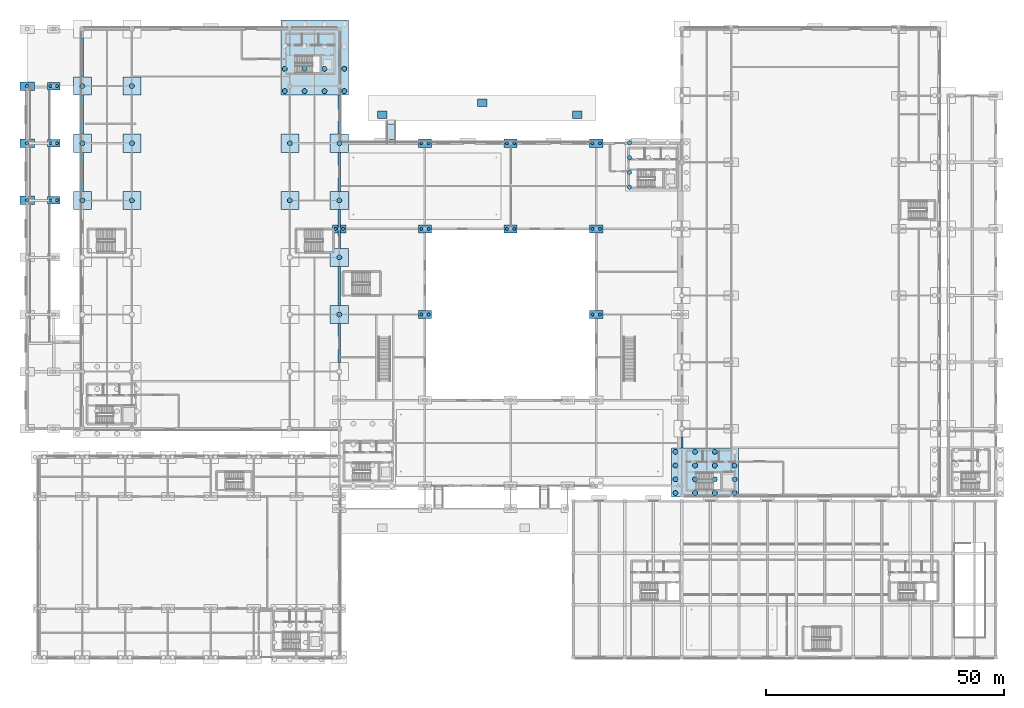
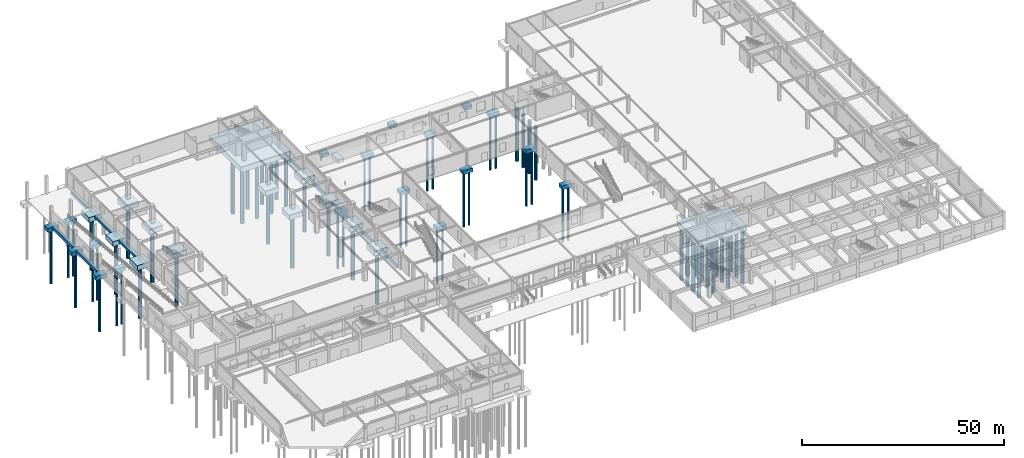
# One storey, part 3 of 53: 66 piles, 44 footings.
"""IFC4 building model written with IfcOpenShell, lengths in metres."""

from ifc_helpers import new_model, si_unit, derived_unit, direction, frame, origin, origin_2d, place, context, subcontext, project, spatial, polyline, rectangle, circle, outline, extrude, material, layer, layer_set, material_profile, profile_set, type_object, element, save


model = new_model("IFC4")

# Units and contexts
model_context = context("Model", 3, precision=1e-05, world=origin(), true_north=direction((0.0, 1.0)))
body_context = subcontext(model_context, "Body", "Model", "MODEL_VIEW")
ifc_project = project(units=[si_unit("LENGTHUNIT", "METRE"), si_unit("AREAUNIT", "SQUARE_METRE"), si_unit("VOLUMEUNIT", "CUBIC_METRE"), si_unit("PLANEANGLEUNIT", "RADIAN"), si_unit("MASSUNIT", "GRAM", prefix="KILO"), derived_unit("THERMALTRANSMITTANCEUNIT", [(si_unit("POWERUNIT", "WATT"), 1), (si_unit("LENGTHUNIT", "METRE"), -2), (si_unit("THERMODYNAMICTEMPERATUREUNIT", "KELVIN"), -1)])], contexts=[model_context])

# Site, building, storey
site_placement = place(None, origin())
site = spatial("IfcSite", under=ifc_project, at=site_placement, CompositionType="ELEMENT")
building_placement = place(site_placement, origin())
building = spatial("IfcBuilding", under=site, at=building_placement, Name="Almenara Railside Exhibition Hall", CompositionType="ELEMENT")
storey_placement = place(building_placement, origin())
storey = spatial("IfcBuildingStorey", under=building, at=storey_placement, Name="L00", CompositionType="ELEMENT", Elevation=0.0)

# Footings
ifc_material_1 = material(Name="Concrete C40/50", Category="concrete")
ifc_layer_1 = layer(ifc_material_1, 1.14990234375, Name="Concrete C40/50")
ifc_layer_set_1 = layer_set([ifc_layer_1], Name="Concrete C40/50")
footing_type_1 = type_object("IfcFootingType", Name="Arcade Two-Pile Cap 2800x1700x1150 C40/50", PredefinedType="PILE_CAP", material=ifc_layer_set_1)
footing_1_placement = place(storey_placement, frame((0.0, 0.0, -1.590087890625)))
element("IfcFooting", 1, at=footing_1_placement, inside=storey, type_object=footing_type_1, Name="Pile cap PC-2A-091", PredefinedType="PILE_CAP", context=body_context, shape_type="SweptSolid", body=[
    extrude(outline(polyline([(64.60009765625, 89.14990234375), (67.39990234375, 89.14990234375), (67.39990234375, 90.85009765625), (64.60009765625, 90.85009765625), (64.60009765625, 89.14990234375)])), origin(), (0.0, 0.0, 1.0), 1.150146484375),
])
footing_2_placement = place(storey_placement, frame((0.0, 0.0, -1.590087890625)))
element("IfcFooting", 2, at=footing_2_placement, inside=storey, type_object=footing_type_1, Name="Pile cap PC-2A-094", PredefinedType="PILE_CAP", context=body_context, shape_type="SweptSolid", body=[
    extrude(outline(polyline([(82.60009765625, 71.14990234375), (85.39990234375, 71.14990234375), (85.39990234375, 72.85009765625), (82.60009765625, 72.85009765625), (82.60009765625, 71.14990234375)])), origin(), (0.0, 0.0, 1.0), 1.150146484375),
])
footing_3_placement = place(storey_placement, frame((0.0, 0.0, -1.590087890625)))
element("IfcFooting", 3, at=footing_3_placement, inside=storey, type_object=footing_type_1, Name="Pile cap PC-2A-095", PredefinedType="PILE_CAP", context=body_context, shape_type="SweptSolid", body=[
    extrude(outline(polyline([(82.60009765625, 89.14990234375), (85.39990234375, 89.14990234375), (85.39990234375, 90.85009765625), (82.60009765625, 90.85009765625), (82.60009765625, 89.14990234375)])), origin(), (0.0, 0.0, 1.0), 1.150146484375),
])
footing_4_placement = place(storey_placement, frame((0.0, 0.0, -1.590087890625)))
element("IfcFooting", 4, at=footing_4_placement, inside=storey, type_object=footing_type_1, Name="Pile cap PC-2A-096", PredefinedType="PILE_CAP", context=body_context, shape_type="SweptSolid", body=[
    extrude(outline(polyline([(82.60009765625, 107.14990234375), (85.39990234375, 107.14990234375), (85.39990234375, 108.85009765625), (82.60009765625, 108.85009765625), (82.60009765625, 107.14990234375)])), origin(), (0.0, 0.0, 1.0), 1.150146484375),
])
footing_5_placement = place(storey_placement, frame((0.0, 0.0, -1.590087890625)))
element("IfcFooting", 5, at=footing_5_placement, inside=storey, type_object=footing_type_1, Name="Pile cap PC-2A-099", PredefinedType="PILE_CAP", context=body_context, shape_type="SweptSolid", body=[
    extrude(outline(polyline([(100.60009765625, 89.14990234375), (103.39990234375, 89.14990234375), (103.39990234375, 90.85009765625), (100.60009765625, 90.85009765625), (100.60009765625, 89.14990234375)])), origin(), (0.0, 0.0, 1.0), 1.150146484375),
])
footing_6_placement = place(storey_placement, frame((0.0, 0.0, -1.590087890625)))
element("IfcFooting", 6, at=footing_6_placement, inside=storey, type_object=footing_type_1, Name="Pile cap PC-2A-100", PredefinedType="PILE_CAP", context=body_context, shape_type="SweptSolid", body=[
    extrude(outline(polyline([(100.60009765625, 107.14990234375), (103.39990234375, 107.14990234375), (103.39990234375, 108.85009765625), (100.60009765625, 108.85009765625), (100.60009765625, 107.14990234375)])), origin(), (0.0, 0.0, 1.0), 1.150146484375),
])
footing_7_placement = place(storey_placement, frame((0.0, 0.0, -1.590087890625)))
element("IfcFooting", 7, at=footing_7_placement, inside=storey, type_object=footing_type_1, Name="Pile cap PC-2A-103", PredefinedType="PILE_CAP", context=body_context, shape_type="SweptSolid", body=[
    extrude(outline(polyline([(118.60009765625, 71.14990234375), (121.39990234375, 71.14990234375), (121.39990234375, 72.85009765625), (118.60009765625, 72.85009765625), (118.60009765625, 71.14990234375)])), origin(), (0.0, 0.0, 1.0), 1.150146484375),
])
footing_8_placement = place(storey_placement, frame((0.0, 0.0, -1.590087890625)))
element("IfcFooting", 8, at=footing_8_placement, inside=storey, type_object=footing_type_1, Name="Pile cap PC-2A-104", PredefinedType="PILE_CAP", context=body_context, shape_type="SweptSolid", body=[
    extrude(outline(polyline([(118.60009765625, 89.14990234375), (121.39990234375, 89.14990234375), (121.39990234375, 90.85009765625), (118.60009765625, 90.85009765625), (118.60009765625, 89.14990234375)])), origin(), (0.0, 0.0, 1.0), 1.150146484375),
])
footing_9_placement = place(storey_placement, frame((0.0, 0.0, -1.590087890625)))
element("IfcFooting", 9, at=footing_9_placement, inside=storey, type_object=footing_type_1, Name="Pile cap PC-2A-105", PredefinedType="PILE_CAP", context=body_context, shape_type="SweptSolid", body=[
    extrude(outline(polyline([(118.60009765625, 107.14990234375), (121.39990234375, 107.14990234375), (121.39990234375, 108.85009765625), (118.60009765625, 108.85009765625), (118.60009765625, 107.14990234375)])), origin(), (0.0, 0.0, 1.0), 1.150146484375),
])
footing_10_placement = place(storey_placement, frame((0.0, 0.0, -1.77490234375)))
element("IfcFooting", 10, at=footing_10_placement, inside=storey, type_object=footing_type_1, Name="FCAP-NTER-75-114", PredefinedType="PILE_CAP", context=body_context, shape_type="SweptSolid", body=[
    extrude(outline(polyline([(74.0, 113.199951171875), (76.0, 113.199951171875), (76.0, 114.800048828125), (74.0, 114.800048828125), (74.0, 113.199951171875)])), origin(), (0.0, 0.0, 1.0), 1.14990234375),
])
footing_11_placement = place(storey_placement, frame((0.0, 0.0, -1.77490234375)))
element("IfcFooting", 11, at=footing_11_placement, inside=storey, type_object=footing_type_1, Name="FCAP-NTER-96-116", PredefinedType="PILE_CAP", context=body_context, shape_type="SweptSolid", body=[
    extrude(outline(polyline([(95.0, 115.699951171875), (97.0, 115.699951171875), (97.0, 117.300048828125), (95.0, 117.300048828125), (95.0, 115.699951171875)])), origin(), (0.0, 0.0, 1.0), 1.14990234375),
])
footing_12_placement = place(storey_placement, frame((0.0, 0.0, -1.77490234375)))
element("IfcFooting", 12, at=footing_12_placement, inside=storey, type_object=footing_type_1, Name="FCAP-NTER-116-114", PredefinedType="PILE_CAP", context=body_context, shape_type="SweptSolid", body=[
    extrude(outline(polyline([(115.0, 113.199951171875), (117.0, 113.199951171875), (117.0, 114.800048828125), (115.0, 114.800048828125), (115.0, 113.199951171875)])), origin(), (0.0, 0.0, 1.0), 1.14990234375),
])

# Piles
ifc_material_profile_1 = material_profile(ifc_material_1, circle(Radius=0.52490234375, at=origin_2d()), Name="CFA-PILE D1050")
ifc_profile_set_1 = profile_set([ifc_material_profile_1], Name="Concrete C40/50")
pile_type_1 = type_object("IfcPileType", Name="CFA Bored Pile D1050 C40/50", PredefinedType="BORED", material=ifc_profile_set_1)
for number, where, z_axis, x_axis, name in (
    (13, (54.544921875, 118.945068359375, -1.989990234375), (0.0, 0.0, -1.0), (1.0, 0.0, 0.0), "Bored pile 0017"),
    (14, (54.544921875, 123.64794921875, -1.989990234375), (0.0, 0.0, -1.0), (1.0, 0.0, 0.0), "Bored pile 0018"),
    (15, (58.715087890625, 118.945068359375, -1.989990234375), (0.0, 0.0, -1.0), (1.0, 0.0, 0.0), "Bored pile 0021"),
    (16, (58.715087890625, 123.64794921875, -1.989990234375), (0.0, 0.0, -1.0), (1.0, 0.0, 0.0), "Bored pile 0022"),
    (17, (62.885009765625, 118.945068359375, -1.989990234375), (0.0, 0.0, -1.0), (1.0, 0.0, 0.0), "Bored pile 0025"),
    (18, (62.885009765625, 123.64794921875, -1.989990234375), (0.0, 0.0, -1.0), (1.0, 0.0, 0.0), "Bored pile 0026"),
    (19, (67.054931640625, 118.945068359375, -1.989990234375), (0.0, 0.0, -1.0), (1.0, 0.0, 0.0), "Bored pile 0029"),
    (20, (67.054931640625, 123.64794921875, -1.989990234375), (0.0, 0.0, -1.0), (1.0, 0.0, 0.0), "Bored pile 0030"),
    (21, (136.64501953125, 34.4951171875, -1.989990234375), (0.0, 0.0, -1.0), (1.0, 0.0, 0.0), "Bored pile 0033"),
    (22, (136.64501953125, 37.382080078125, -1.989990234375), (0.0, 0.0, -1.0), (1.0, 0.0, 0.0), "Bored pile 0034"),
    (23, (136.64501953125, 40.26806640625, -1.989990234375), (0.0, 0.0, -1.0), (1.0, 0.0, 0.0), "Bored pile 0035"),
    (24, (136.64501953125, 43.155029296875, -1.989990234375), (0.0, 0.0, -1.0), (1.0, 0.0, 0.0), "Bored pile 0036"),
    (25, (140.781982421875, 34.4951171875, -1.989990234375), (0.0, 0.0, -1.0), (1.0, 0.0, 0.0), "Bored pile 0037"),
    (26, (140.781982421875, 37.382080078125, -1.989990234375), (0.0, 0.0, -1.0), (1.0, 0.0, 0.0), "Bored pile 0038"),
    (27, (140.781982421875, 40.26806640625, -1.989990234375), (0.0, 0.0, -1.0), (1.0, 0.0, 0.0), "Bored pile 0039"),
    (28, (140.781982421875, 43.155029296875, -1.989990234375), (0.0, 0.0, -1.0), (1.0, 0.0, 0.0), "Bored pile 0040"),
    (29, (144.91796875, 34.4951171875, -1.989990234375), (0.0, 0.0, -1.0), (1.0, 0.0, 0.0), "Bored pile 0041"),
    (30, (144.91796875, 37.382080078125, -1.989990234375), (0.0, 0.0, -1.0), (1.0, 0.0, 0.0), "Bored pile 0042"),
    (31, (144.91796875, 40.26806640625, -1.989990234375), (0.0, 0.0, -1.0), (1.0, 0.0, 0.0), "Bored pile 0043"),
    (32, (144.91796875, 43.155029296875, -1.989990234375), (0.0, 0.0, -1.0), (1.0, 0.0, 0.0), "Bored pile 0044"),
    (33, (149.054931640625, 34.4951171875, -1.989990234375), (0.0, 0.0, -1.0), (1.0, 0.0, 0.0), "Bored pile 0045"),
    (34, (149.054931640625, 37.382080078125, -1.989990234375), (0.0, 0.0, -1.0), (1.0, 0.0, 0.0), "Bored pile 0046"),
    (35, (149.054931640625, 40.26806640625, -1.989990234375), (0.0, 0.0, -1.0), (1.0, 0.0, 0.0), "Bored pile 0047"),
):
    element("IfcPile", number, at=place(storey_placement, frame(where, z_axis=z_axis, x_axis=x_axis)), inside=storey, type_object=pile_type_1, Name=name, PredefinedType="BORED", context=body_context, shape_type="SweptSolid", body=[
        extrude(circle(Radius=0.52490234375, at=origin_2d()), origin(), (0.0, 0.0, 1.0), 16.010009765625),
    ])
for number, where, z_axis, x_axis, name in (
    (36, (66.0, 72.0, -1.840087890625), (0.0, 0.0, -1.0), (1.0, 0.0, 0.0), "Bored pile 0149"),
    (37, (66.0, 84.0, -1.840087890625), (0.0, 0.0, -1.0), (1.0, 0.0, 0.0), "Bored pile 0153"),
    (38, (12.0, 96.0, -1.840087890625), (0.0, 0.0, -1.0), (1.0, 0.0, 0.0), "Bored pile 0156"),
    (39, (66.0, 96.0, -1.840087890625), (0.0, 0.0, -1.0), (1.0, 0.0, 0.0), "Bored pile 0157"),
    (40, (22.39990234375, 96.0, -1.840087890625), (0.0, 0.0, -1.0), (1.0, 0.0, 0.0), "Bored pile 0158"),
    (41, (55.60009765625, 96.0, -1.840087890625), (0.0, 0.0, -1.0), (1.0, 0.0, 0.0), "Bored pile 0159"),
    (42, (12.0, 108.0, -1.840087890625), (0.0, 0.0, -1.0), (1.0, 0.0, 0.0), "Bored pile 0160"),
    (43, (66.0, 108.0, -1.840087890625), (0.0, 0.0, -1.0), (1.0, 0.0, 0.0), "Bored pile 0161"),
    (44, (22.39990234375, 108.0, -1.840087890625), (0.0, 0.0, -1.0), (1.0, 0.0, 0.0), "Bored pile 0162"),
    (45, (55.60009765625, 108.0, -1.840087890625), (0.0, 0.0, -1.0), (1.0, 0.0, 0.0), "Bored pile 0163"),
    (46, (12.0, 120.0, -1.840087890625), (0.0, 0.0, -1.0), (1.0, 0.0, 0.0), "Bored pile 0164"),
    (47, (22.39990234375, 120.0, -1.840087890625), (0.0, 0.0, -1.0), (1.0, 0.0, 0.0), "Bored pile 0165"),
):
    element("IfcPile", number, at=place(storey_placement, frame(where, z_axis=z_axis, x_axis=x_axis)), inside=storey, type_object=pile_type_1, Name=name, PredefinedType="BORED", context=body_context, shape_type="SweptSolid", body=[
        extrude(circle(Radius=0.52490234375, at=origin_2d()), origin(), (0.0, 0.0, 1.0), 16.159912109375),
    ])
ifc_material_profile_2 = material_profile(ifc_material_1, circle(Radius=0.300048828125, at=origin_2d()), Name="CFA-PILE D600")
ifc_profile_set_2 = profile_set([ifc_material_profile_2], Name="Concrete C40/50")
pile_type_2 = type_object("IfcPileType", Name="CFA Bored Pile D600 C40/50", PredefinedType="BORED", material=ifc_profile_set_2)
for number, where, z_axis, x_axis, name in (
    (48, (65.219970703125, 90.0, -1.489990234375), (0.0, 0.0, -1.0), (1.0, 0.0, 0.0), "Bored pile 0263"),
    (49, (66.780029296875, 90.0, -1.489990234375), (0.0, 0.0, -1.0), (1.0, 0.0, 0.0), "Bored pile 0264"),
    (50, (83.219970703125, 72.0, -1.489990234375), (0.0, 0.0, -1.0), (1.0, 0.0, 0.0), "Bored pile 0269"),
    (51, (84.780029296875, 72.0, -1.489990234375), (0.0, 0.0, -1.0), (1.0, 0.0, 0.0), "Bored pile 0270"),
    (52, (83.219970703125, 90.0, -1.489990234375), (0.0, 0.0, -1.0), (1.0, 0.0, 0.0), "Bored pile 0271"),
    (53, (84.780029296875, 90.0, -1.489990234375), (0.0, 0.0, -1.0), (1.0, 0.0, 0.0), "Bored pile 0272"),
    (54, (83.219970703125, 108.0, -1.489990234375), (0.0, 0.0, -1.0), (1.0, 0.0, 0.0), "Bored pile 0273"),
    (55, (84.780029296875, 108.0, -1.489990234375), (0.0, 0.0, -1.0), (1.0, 0.0, 0.0), "Bored pile 0274"),
    (56, (101.219970703125, 90.0, -1.489990234375), (0.0, 0.0, -1.0), (1.0, 0.0, 0.0), "Bored pile 0279"),
    (57, (102.780029296875, 90.0, -1.489990234375), (0.0, 0.0, -1.0), (1.0, 0.0, 0.0), "Bored pile 0280"),
    (58, (101.219970703125, 108.0, -1.489990234375), (0.0, 0.0, -1.0), (1.0, 0.0, 0.0), "Bored pile 0281"),
    (59, (102.780029296875, 108.0, -1.489990234375), (0.0, 0.0, -1.0), (1.0, 0.0, 0.0), "Bored pile 0282"),
    (60, (119.219970703125, 72.0, -1.489990234375), (0.0, 0.0, -1.0), (1.0, 0.0, 0.0), "Bored pile 0287"),
    (61, (120.780029296875, 72.0, -1.489990234375), (0.0, 0.0, -1.0), (1.0, 0.0, 0.0), "Bored pile 0288"),
    (62, (119.219970703125, 90.0, -1.489990234375), (0.0, 0.0, -1.0), (1.0, 0.0, 0.0), "Bored pile 0289"),
    (63, (120.780029296875, 90.0, -1.489990234375), (0.0, 0.0, -1.0), (1.0, 0.0, 0.0), "Bored pile 0290"),
    (64, (119.219970703125, 108.0, -1.489990234375), (0.0, 0.0, -1.0), (1.0, 0.0, 0.0), "Bored pile 0291"),
    (65, (120.780029296875, 108.0, -1.489990234375), (0.0, 0.0, -1.0), (1.0, 0.0, 0.0), "Bored pile 0292"),
):
    element("IfcPile", number, at=place(storey_placement, frame(where, z_axis=z_axis, x_axis=x_axis)), inside=storey, type_object=pile_type_2, Name=name, PredefinedType="BORED", context=body_context, shape_type="SweptSolid", body=[
        extrude(circle(Radius=0.300048828125, at=origin_2d()), origin(), (0.0, 0.0, 1.0), 16.510009765625),
    ])
for number, where, z_axis, x_axis, name in (
    (66, (5.320068359375, 96.0, -1.43994140625), (0.0, 0.0, -1.0), (1.0, 0.0, 0.0), "Bored pile 0310"),
    (67, (6.679931640625, 96.0, -1.43994140625), (0.0, 0.0, -1.0), (1.0, 0.0, 0.0), "Bored pile 0311"),
    (68, (5.320068359375, 108.0, -1.43994140625), (0.0, 0.0, -1.0), (1.0, 0.0, 0.0), "Bored pile 0313"),
    (69, (6.679931640625, 108.0, -1.43994140625), (0.0, 0.0, -1.0), (1.0, 0.0, 0.0), "Bored pile 0314"),
    (70, (5.320068359375, 120.0, -1.43994140625), (0.0, 0.0, -1.0), (1.0, 0.0, 0.0), "Bored pile 0316"),
    (71, (6.679931640625, 120.0, -1.43994140625), (0.0, 0.0, -1.0), (1.0, 0.0, 0.0), "Bored pile 0317"),
):
    element("IfcPile", number, at=place(storey_placement, frame(where, z_axis=z_axis, x_axis=x_axis)), inside=storey, type_object=pile_type_2, Name=name, PredefinedType="BORED", context=body_context, shape_type="SweptSolid", body=[
        extrude(circle(Radius=0.300048828125, at=origin_2d()), origin(), (0.0, 0.0, 1.0), 16.56005859375),
    ])
ifc_material_profile_3 = material_profile(ifc_material_1, circle(Radius=0.375, at=origin_2d()), Name="CFA-PILE D750")
ifc_profile_set_3 = profile_set([ifc_material_profile_3], Name="Concrete C40/50")
pile_type_3 = type_object("IfcPileType", Name="CFA Bored Pile D750 C40/50", PredefinedType="BORED", material=ifc_profile_set_3)
for number, where, z_axis, x_axis, name in (
    (72, (0.39990234375, 96.0, -1.5400390625), (0.0, 0.0, -1.0), (1.0, 0.0, 0.0), "Bored pile 0309"),
    (73, (0.39990234375, 108.0, -1.5400390625), (0.0, 0.0, -1.0), (1.0, 0.0, 0.0), "Bored pile 0312"),
    (74, (0.39990234375, 120.0, -1.5400390625), (0.0, 0.0, -1.0), (1.0, 0.0, 0.0), "Bored pile 0315"),
):
    element("IfcPile", number, at=place(storey_placement, frame(where, z_axis=z_axis, x_axis=x_axis)), inside=storey, type_object=pile_type_3, Name=name, PredefinedType="BORED", context=body_context, shape_type="SweptSolid", body=[
        extrude(circle(Radius=0.375, at=origin_2d()), origin(), (0.0, 0.0, 1.0), 16.4599609375),
    ])
ifc_material_profile_4 = material_profile(ifc_material_1, circle(Radius=0.449951171875, at=origin_2d()), Name="CFA-PILE D900")
ifc_profile_set_4 = profile_set([ifc_material_profile_4], Name="Concrete C40/50")
pile_type_4 = type_object("IfcPileType", Name="CFA Bored Pile D900 C40/50", PredefinedType="BORED", material=ifc_profile_set_4)
for number, where, z_axis, x_axis, name in (
    (75, (126.969970703125, 98.77001953125, -1.889892578125), (0.0, 0.0, -1.0), (1.0, 0.0, 0.0), "Bored pile 0113"),
    (76, (126.969970703125, 101.873046875, -1.889892578125), (0.0, 0.0, -1.0), (1.0, 0.0, 0.0), "Bored pile 0114"),
    (77, (126.969970703125, 104.97705078125, -1.889892578125), (0.0, 0.0, -1.0), (1.0, 0.0, 0.0), "Bored pile 0115"),
    (78, (126.969970703125, 108.080078125, -1.889892578125), (0.0, 0.0, -1.0), (1.0, 0.0, 0.0), "Bored pile 0116"),
):
    element("IfcPile", number, at=place(storey_placement, frame(where, z_axis=z_axis, x_axis=x_axis)), inside=storey, type_object=pile_type_4, Name=name, PredefinedType="BORED", context=body_context, shape_type="SweptSolid", body=[
        extrude(circle(Radius=0.449951171875, at=origin_2d()), origin(), (0.0, 0.0, 1.0), 16.110107421875),
    ])

# Footings
ifc_layer_2 = layer(ifc_material_1, 1.64990234375, Name="Concrete C40/50")
ifc_layer_set_2 = layer_set([ifc_layer_2], Name="Concrete C40/50")
footing_type_2 = type_object("IfcFootingType", Name="Core Nine-Pile Raft Cap 10400x9600x1650 C40/50", PredefinedType="PILE_CAP", material=ifc_layer_set_2)
footing_13_placement = place(storey_placement, frame((0.0, 0.0, -2.090087890625)))
element("IfcFooting", 79, at=footing_13_placement, inside=storey, type_object=footing_type_2, Name="Pile cap PC-9A-002", PredefinedType="PILE_CAP", context=body_context, shape_type="SweptSolid", body=[
    extrude(outline(polyline([(53.699951171875, 118.10009765625), (67.89990234375, 118.10009765625), (67.89990234375, 133.89990234375), (53.699951171875, 133.89990234375), (53.699951171875, 118.10009765625)])), origin(), (0.0, 0.0, 1.0), 1.650146484375),
])
footing_14_placement = place(storey_placement, frame((0.0, 0.0, -2.090087890625)))
element("IfcFooting", 80, at=footing_14_placement, inside=storey, type_object=footing_type_2, Name="Pile cap PC-9A-003", PredefinedType="PILE_CAP", context=body_context, shape_type="SweptSolid", body=[
    extrude(outline(polyline([(135.800048828125, 33.64990234375), (149.89990234375, 33.64990234375), (149.89990234375, 44.0), (135.800048828125, 44.0), (135.800048828125, 33.64990234375)])), origin(), (0.0, 0.0, 1.0), 1.650146484375),
])
ifc_layer_3 = layer(ifc_material_1, 1.199951171875, Name="Concrete C40/50")
ifc_layer_set_3 = layer_set([ifc_layer_3], Name="Concrete C40/50")
footing_type_3 = type_object("IfcFootingType", Name="Gallery Two-Pile Cap 3000x1800x1200 C40/50", PredefinedType="PILE_CAP", material=ifc_layer_set_3)
footing_15_placement = place(storey_placement, frame((0.0, 0.0, -1.639892578125)))
element("IfcFooting", 81, at=footing_15_placement, inside=storey, type_object=footing_type_3, Name="Pile cap PC-2G-116", PredefinedType="PILE_CAP", context=body_context, shape_type="SweptSolid", body=[
    extrude(outline(polyline([(-1.10009765625, 95.10009765625), (1.89990234375, 95.10009765625), (1.89990234375, 96.89990234375), (-1.10009765625, 96.89990234375), (-1.10009765625, 95.10009765625)])), origin(), (0.0, 0.0, 1.0), 1.199951171875),
])
footing_16_placement = place(storey_placement, frame((0.0, 0.0, -1.639892578125)))
element("IfcFooting", 82, at=footing_16_placement, inside=storey, type_object=footing_type_3, Name="Pile cap PC-2G-118", PredefinedType="PILE_CAP", context=body_context, shape_type="SweptSolid", body=[
    extrude(outline(polyline([(-1.10009765625, 107.10009765625), (1.89990234375, 107.10009765625), (1.89990234375, 108.89990234375), (-1.10009765625, 108.89990234375), (-1.10009765625, 107.10009765625)])), origin(), (0.0, 0.0, 1.0), 1.199951171875),
])
footing_17_placement = place(storey_placement, frame((0.0, 0.0, -1.639892578125)))
element("IfcFooting", 83, at=footing_17_placement, inside=storey, type_object=footing_type_3, Name="Pile cap PC-2G-120", PredefinedType="PILE_CAP", context=body_context, shape_type="SweptSolid", body=[
    extrude(outline(polyline([(-1.10009765625, 119.10009765625), (1.89990234375, 119.10009765625), (1.89990234375, 120.89990234375), (-1.10009765625, 120.89990234375), (-1.10009765625, 119.10009765625)])), origin(), (0.0, 0.0, 1.0), 1.199951171875),
])
ifc_material_2 = material(Name="Concrete C35/45", Category="concrete")
ifc_material_profile_5 = material_profile(ifc_material_2, rectangle(XDim=0.449951171875, YDim=0.64990234375, at=origin_2d()), Name="RC-GB 450x650")
ifc_profile_set_5 = profile_set([ifc_material_profile_5], Name="Concrete C35/45")
footing_type_4 = type_object("IfcFootingType", Name="Ground Tie Beam 450x650 C35/45", PredefinedType="FOOTING_BEAM", material=ifc_profile_set_5)
footing_18_placement = place(storey_placement, frame((138.0, 44.001953125, -0.764892578125), z_axis=(0.0, 1.0, 0.0), x_axis=(-1.0, 0.0, 0.0)))
element("IfcFooting", 84, at=footing_18_placement, inside=storey, type_object=footing_type_4, Name="GB-L00-029", PredefinedType="FOOTING_BEAM", context=body_context, shape_type="SweptSolid", body=[
    extrude(rectangle(XDim=0.449951171875, YDim=0.64990234375, at=origin_2d()), origin(), (0.0, 0.0, 1.0), 2.296142578125),
])
ifc_material_profile_6 = material_profile(ifc_material_2, rectangle(XDim=0.5, YDim=0.75, at=origin_2d()), Name="RC-GB 500x750")
ifc_profile_set_6 = profile_set([ifc_material_profile_6], Name="Concrete C35/45")
footing_type_5 = type_object("IfcFootingType", Name="Ground Tie Beam 500x750 C35/45", PredefinedType="FOOTING_BEAM", material=ifc_profile_set_6)
for number, where, z_axis, x_axis, name in (
    (85, (12.0, 97.902099609375, -0.81494140625), (0.0, 1.0, 0.0), (-1.0, 0.0, 0.0), "GB-L00-020"),
    (86, (12.0, 109.902099609375, -0.81494140625), (0.0, 1.0, 0.0), (-1.0, 0.0, 0.0), "GB-L00-021"),
    (87, (12.0, 121.902099609375, -0.81494140625), (0.0, 1.0, 0.0), (-1.0, 0.0, 0.0), "GB-L00-022"),
    (88, (66.0, 61.902099609375, -0.81494140625), (0.0, 1.0, 0.0), (-1.0, 0.0, 0.0), "GB-L00-024"),
    (89, (66.0, 73.902099609375, -0.81494140625), (0.0, 1.0, 0.0), (-1.0, 0.0, 0.0), "GB-L00-025"),
    (90, (66.0, 85.902099609375, -0.81494140625), (0.0, 1.0, 0.0), (-1.0, 0.0, 0.0), "GB-L00-026"),
    (91, (66.0, 97.902099609375, -0.81494140625), (0.0, 1.0, 0.0), (-1.0, 0.0, 0.0), "GB-L00-027"),
    (92, (66.0, 109.902099609375, -0.81494140625), (0.0, 1.0, 0.0), (-1.0, 0.0, 0.0), "GB-L00-028"),
):
    element("IfcFooting", number, at=place(storey_placement, frame(where, z_axis=z_axis, x_axis=x_axis)), inside=storey, type_object=footing_type_5, Name=name, PredefinedType="FOOTING_BEAM", context=body_context, shape_type="SweptSolid", body=[
        extrude(rectangle(XDim=0.5, YDim=0.75, at=origin_2d()), origin(), (0.0, 0.0, 1.0), 8.19580078125),
    ])
ifc_material_profile_7 = material_profile(ifc_material_2, rectangle(XDim=0.64990234375, YDim=0.949951171875, at=origin_2d()), Name="RC-GB 650x950")
ifc_profile_set_7 = profile_set([ifc_material_profile_7], Name="Concrete C35/45")
footing_type_6 = type_object("IfcFootingType", Name="Ground Tie Beam 650x950 C35/45", PredefinedType="FOOTING_BEAM", material=ifc_profile_set_7)
for number, where, z_axis, x_axis, name in (
    (93, (0.39990234375, 96.902099609375, -0.47509765625), (0.0, 1.0, 0.0), (-1.0, 0.0, 0.0), "GB-V6-96"),
    (94, (0.39990234375, 108.902099609375, -0.47509765625), (0.0, 1.0, 0.0), (-1.0, 0.0, 0.0), "GB-V6-108"),
):
    element("IfcFooting", number, at=place(storey_placement, frame(where, z_axis=z_axis, x_axis=x_axis)), inside=storey, type_object=footing_type_6, Name=name, PredefinedType="FOOTING_BEAM", context=body_context, shape_type="SweptSolid", body=[
        extrude(rectangle(XDim=0.64990234375, YDim=0.949951171875, at=origin_2d()), origin(), (0.0, 0.0, 1.0), 10.19580078125),
    ])
ifc_layer_4 = layer(ifc_material_1, 1.10009765625, Name="Concrete C40/50")
ifc_layer_set_4 = layer_set([ifc_layer_4], Name="Concrete C40/50")
footing_type_7 = type_object("IfcFootingType", Name="Ramp Two-Pile Cap 2600x1600x1100 C40/50", PredefinedType="PILE_CAP", material=ifc_layer_set_4)
footing_19_placement = place(storey_placement, frame((0.0, 0.0, -1.5400390625)))
element("IfcFooting", 95, at=footing_19_placement, inside=storey, type_object=footing_type_7, Name="Pile cap PC-2R-117", PredefinedType="PILE_CAP", context=body_context, shape_type="SweptSolid", body=[
    extrude(outline(polyline([(4.699951171875, 95.199951171875), (7.300048828125, 95.199951171875), (7.300048828125, 96.800048828125), (4.699951171875, 96.800048828125), (4.699951171875, 95.199951171875)])), origin(), (0.0, 0.0, 1.0), 1.10009765625),
])
footing_20_placement = place(storey_placement, frame((0.0, 0.0, -1.5400390625)))
element("IfcFooting", 96, at=footing_20_placement, inside=storey, type_object=footing_type_7, Name="Pile cap PC-2R-119", PredefinedType="PILE_CAP", context=body_context, shape_type="SweptSolid", body=[
    extrude(outline(polyline([(4.699951171875, 107.199951171875), (7.300048828125, 107.199951171875), (7.300048828125, 108.800048828125), (4.699951171875, 108.800048828125), (4.699951171875, 107.199951171875)])), origin(), (0.0, 0.0, 1.0), 1.10009765625),
])
footing_21_placement = place(storey_placement, frame((0.0, 0.0, -1.5400390625)))
element("IfcFooting", 97, at=footing_21_placement, inside=storey, type_object=footing_type_7, Name="Pile cap PC-2R-121", PredefinedType="PILE_CAP", context=body_context, shape_type="SweptSolid", body=[
    extrude(outline(polyline([(4.699951171875, 119.199951171875), (7.300048828125, 119.199951171875), (7.300048828125, 120.800048828125), (4.699951171875, 120.800048828125), (4.699951171875, 119.199951171875)])), origin(), (0.0, 0.0, 1.0), 1.10009765625),
])
footing_22_placement = place(storey_placement, frame((0.0, 0.0, -1.5)))
element("IfcFooting", 98, at=footing_22_placement, inside=storey, type_object=footing_type_7, Name="FCAP-RMP-ACC-03", PredefinedType="PILE_CAP", context=body_context, shape_type="SweptSolid", body=[
    extrude(outline(polyline([(76.0, 108.75), (77.800048828125, 108.75), (77.800048828125, 112.050048828125), (76.0, 112.050048828125), (76.0, 108.75)])), origin(), (0.0, 0.0, 1.0), 1.1201171875),
])
ifc_layer_5 = layer(ifc_material_1, 1.5, Name="Concrete C40/50")
ifc_layer_set_5 = layer_set([ifc_layer_5], Name="Concrete C40/50")
footing_type_8 = type_object("IfcFootingType", Name="Transfer Four-Pile Cap 3800x3800x1500 C40/50", PredefinedType="PILE_CAP", material=ifc_layer_set_5)
footing_23_placement = place(storey_placement, frame((0.0, 0.0, -1.93994140625)))
element("IfcFooting", 99, at=footing_23_placement, inside=storey, type_object=footing_type_8, Name="Pile cap PC-4T-014", PredefinedType="PILE_CAP", context=body_context, shape_type="SweptSolid", body=[
    extrude(outline(polyline([(64.10009765625, 70.10009765625), (67.89990234375, 70.10009765625), (67.89990234375, 73.89990234375), (64.10009765625, 73.89990234375), (64.10009765625, 70.10009765625)])), origin(), (0.0, 0.0, 1.0), 1.5),
])
footing_24_placement = place(storey_placement, frame((0.0, 0.0, -1.93994140625)))
element("IfcFooting", 100, at=footing_24_placement, inside=storey, type_object=footing_type_8, Name="Pile cap PC-4T-018", PredefinedType="PILE_CAP", context=body_context, shape_type="SweptSolid", body=[
    extrude(outline(polyline([(64.10009765625, 82.10009765625), (67.89990234375, 82.10009765625), (67.89990234375, 85.89990234375), (64.10009765625, 85.89990234375), (64.10009765625, 82.10009765625)])), origin(), (0.0, 0.0, 1.0), 1.5),
])
footing_25_placement = place(storey_placement, frame((0.0, 0.0, -1.93994140625)))
element("IfcFooting", 101, at=footing_25_placement, inside=storey, type_object=footing_type_8, Name="Pile cap PC-4T-021", PredefinedType="PILE_CAP", context=body_context, shape_type="SweptSolid", body=[
    extrude(outline(polyline([(10.10009765625, 94.10009765625), (13.89990234375, 94.10009765625), (13.89990234375, 97.89990234375), (10.10009765625, 97.89990234375), (10.10009765625, 94.10009765625)])), origin(), (0.0, 0.0, 1.0), 1.5),
])
footing_26_placement = place(storey_placement, frame((0.0, 0.0, -1.93994140625)))
element("IfcFooting", 102, at=footing_26_placement, inside=storey, type_object=footing_type_8, Name="Pile cap PC-4T-022", PredefinedType="PILE_CAP", context=body_context, shape_type="SweptSolid", body=[
    extrude(outline(polyline([(64.10009765625, 94.10009765625), (67.89990234375, 94.10009765625), (67.89990234375, 97.89990234375), (64.10009765625, 97.89990234375), (64.10009765625, 94.10009765625)])), origin(), (0.0, 0.0, 1.0), 1.5),
])
footing_27_placement = place(storey_placement, frame((0.0, 0.0, -1.93994140625)))
element("IfcFooting", 103, at=footing_27_placement, inside=storey, type_object=footing_type_8, Name="Pile cap PC-4T-023", PredefinedType="PILE_CAP", context=body_context, shape_type="SweptSolid", body=[
    extrude(outline(polyline([(20.5, 94.10009765625), (24.300048828125, 94.10009765625), (24.300048828125, 97.89990234375), (20.5, 97.89990234375), (20.5, 94.10009765625)])), origin(), (0.0, 0.0, 1.0), 1.5),
])
footing_28_placement = place(storey_placement, frame((0.0, 0.0, -1.93994140625)))
element("IfcFooting", 104, at=footing_28_placement, inside=storey, type_object=footing_type_8, Name="Pile cap PC-4T-024", PredefinedType="PILE_CAP", context=body_context, shape_type="SweptSolid", body=[
    extrude(outline(polyline([(53.699951171875, 94.10009765625), (57.5, 94.10009765625), (57.5, 97.89990234375), (53.699951171875, 97.89990234375), (53.699951171875, 94.10009765625)])), origin(), (0.0, 0.0, 1.0), 1.5),
])
footing_29_placement = place(storey_placement, frame((0.0, 0.0, -1.93994140625)))
element("IfcFooting", 105, at=footing_29_placement, inside=storey, type_object=footing_type_8, Name="Pile cap PC-4T-025", PredefinedType="PILE_CAP", context=body_context, shape_type="SweptSolid", body=[
    extrude(outline(polyline([(10.10009765625, 106.10009765625), (13.89990234375, 106.10009765625), (13.89990234375, 109.89990234375), (10.10009765625, 109.89990234375), (10.10009765625, 106.10009765625)])), origin(), (0.0, 0.0, 1.0), 1.5),
])
footing_30_placement = place(storey_placement, frame((0.0, 0.0, -1.93994140625)))
element("IfcFooting", 106, at=footing_30_placement, inside=storey, type_object=footing_type_8, Name="Pile cap PC-4T-026", PredefinedType="PILE_CAP", context=body_context, shape_type="SweptSolid", body=[
    extrude(outline(polyline([(64.10009765625, 106.10009765625), (67.89990234375, 106.10009765625), (67.89990234375, 109.89990234375), (64.10009765625, 109.89990234375), (64.10009765625, 106.10009765625)])), origin(), (0.0, 0.0, 1.0), 1.5),
])
footing_31_placement = place(storey_placement, frame((0.0, 0.0, -1.93994140625)))
element("IfcFooting", 107, at=footing_31_placement, inside=storey, type_object=footing_type_8, Name="Pile cap PC-4T-027", PredefinedType="PILE_CAP", context=body_context, shape_type="SweptSolid", body=[
    extrude(outline(polyline([(20.5, 106.10009765625), (24.300048828125, 106.10009765625), (24.300048828125, 109.89990234375), (20.5, 109.89990234375), (20.5, 106.10009765625)])), origin(), (0.0, 0.0, 1.0), 1.5),
])
footing_32_placement = place(storey_placement, frame((0.0, 0.0, -1.93994140625)))
element("IfcFooting", 108, at=footing_32_placement, inside=storey, type_object=footing_type_8, Name="Pile cap PC-4T-028", PredefinedType="PILE_CAP", context=body_context, shape_type="SweptSolid", body=[
    extrude(outline(polyline([(53.699951171875, 106.10009765625), (57.5, 106.10009765625), (57.5, 109.89990234375), (53.699951171875, 109.89990234375), (53.699951171875, 106.10009765625)])), origin(), (0.0, 0.0, 1.0), 1.5),
])
footing_33_placement = place(storey_placement, frame((0.0, 0.0, -1.93994140625)))
element("IfcFooting", 109, at=footing_33_placement, inside=storey, type_object=footing_type_8, Name="Pile cap PC-4T-029", PredefinedType="PILE_CAP", context=body_context, shape_type="SweptSolid", body=[
    extrude(outline(polyline([(10.10009765625, 118.10009765625), (13.89990234375, 118.10009765625), (13.89990234375, 121.89990234375), (10.10009765625, 121.89990234375), (10.10009765625, 118.10009765625)])), origin(), (0.0, 0.0, 1.0), 1.5),
])
footing_34_placement = place(storey_placement, frame((0.0, 0.0, -1.93994140625)))
element("IfcFooting", 110, at=footing_34_placement, inside=storey, type_object=footing_type_8, Name="Pile cap PC-4T-030", PredefinedType="PILE_CAP", context=body_context, shape_type="SweptSolid", body=[
    extrude(outline(polyline([(20.5, 118.10009765625), (24.300048828125, 118.10009765625), (24.300048828125, 121.89990234375), (20.5, 121.89990234375), (20.5, 118.10009765625)])), origin(), (0.0, 0.0, 1.0), 1.5),
])

save(model, "model.ifc")
